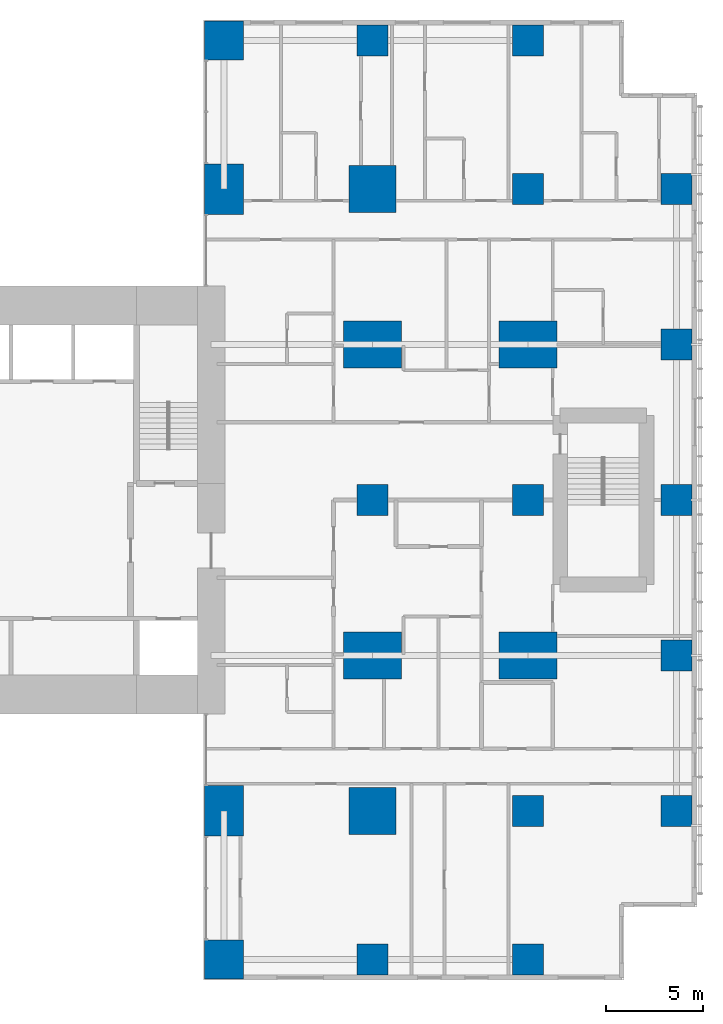
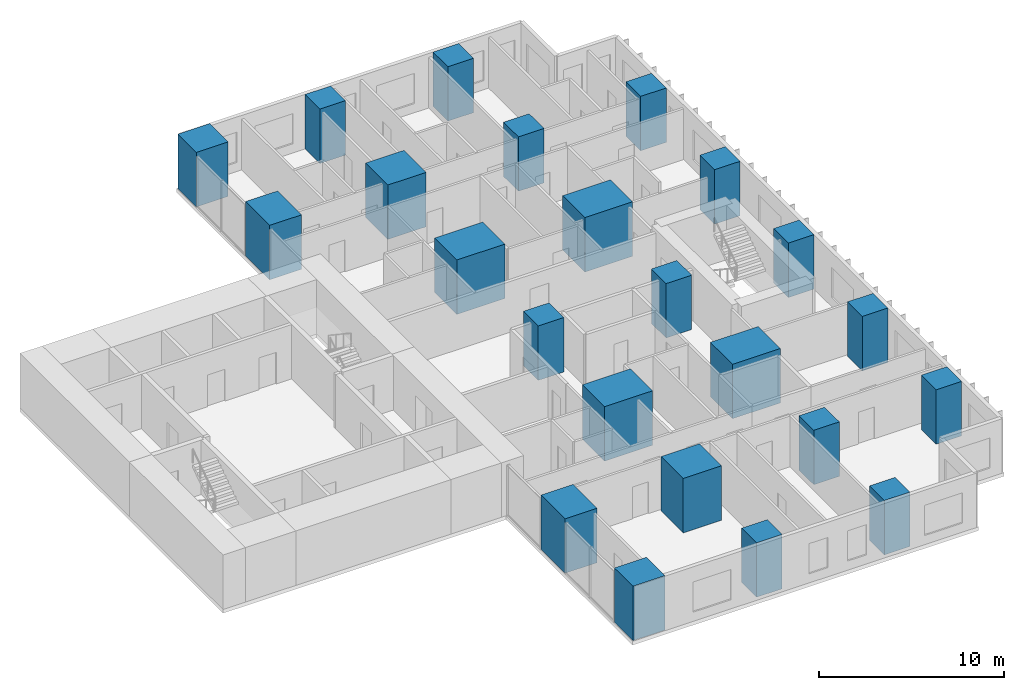
# One storey, part 1 of 12: 23 columns.
"""IFC4 building model written with IfcOpenShell, lengths in metres."""

from ifc_helpers import new_model, si_unit, direction, frame, origin, origin_2d, place, context, subcontext, project, spatial, rectangle, extrude, material, material_profile, profile_set, type_object, element, save


model = new_model("IFC4")

# Units and contexts
model_context = context("Model", 3, precision=1e-05, world=origin(), true_north=direction((0.0, 1.0)))
body_context = subcontext(model_context, "Body", "Model", "MODEL_VIEW")
ifc_project = project(units=[si_unit("LENGTHUNIT", "METRE"), si_unit("AREAUNIT", "SQUARE_METRE"), si_unit("VOLUMEUNIT", "CUBIC_METRE"), si_unit("PLANEANGLEUNIT", "RADIAN"), si_unit("MASSUNIT", "GRAM", prefix="KILO")], contexts=[model_context])

# Site, building, storey
site_placement = place(None, origin())
site = spatial("IfcSite", under=ifc_project, at=site_placement, CompositionType="ELEMENT")
building_placement = place(site_placement, origin())
building = spatial("IfcBuilding", under=site, at=building_placement, Name="Cleftline Residences", CompositionType="ELEMENT")
storey_placement = place(building_placement, frame((0.0, 0.0, 259.199951171875)))
storey = spatial("IfcBuildingStorey", under=building, at=storey_placement, Name="L68", CompositionType="ELEMENT", Elevation=259.199951171875)

# Columns
ifc_material_1 = material(Name="Concrete B70", Category="concrete")
ifc_material_profile_1 = material_profile(ifc_material_1, rectangle(XDim=1.60009765625, YDim=1.60009765625, at=origin_2d()))
ifc_profile_set_1 = profile_set([ifc_material_profile_1], Name="Concrete B70")
column_type_1 = type_object("IfcColumnType", Name="COLUMN RC1600X1600", PredefinedType="COLUMN", material=ifc_profile_set_1)
for number, where, z_axis, x_axis, name in (
    (1, (50.0, 0.35009765625, 0.0), (0.0, 0.0, 1.0), (1.0, 0.0, 0.0), "Column C/9"),
    (2, (50.0, 24.0, 0.0), (0.0, 0.0, 1.0), (1.0, 0.0, 0.0), "Column F/9"),
    (3, (50.0, 47.64990234375, 0.0), (0.0, 0.0, 1.0), (1.0, 0.0, 0.0), "Column J/9"),
    (4, (58.0, 0.35009765625, 0.0), (0.0, 0.0, 1.0), (1.0, 0.0, 0.0), "Column C/10"),
    (5, (58.0, 8.0, 0.0), (0.0, 0.0, 1.0), (1.0, 0.0, 0.0), "Column D/10"),
    (6, (58.0, 24.0, 0.0), (0.0, 0.0, 1.0), (1.0, 0.0, 0.0), "Column F/10"),
    (7, (58.0, 40.0, 0.0), (0.0, 0.0, 1.0), (1.0, 0.0, 0.0), "Column H/10"),
    (8, (58.0, 47.64990234375, 0.0), (0.0, 0.0, 1.0), (1.0, 0.0, 0.0), "Column J/10"),
    (9, (65.64990234375, 8.0, 0.0), (0.0, 0.0, 1.0), (1.0, 0.0, 0.0), "Column D/11"),
    (10, (65.64990234375, 16.0, 0.0), (0.0, 0.0, 1.0), (1.0, 0.0, 0.0), "Column E/11"),
    (11, (65.64990234375, 24.0, 0.0), (0.0, 0.0, 1.0), (1.0, 0.0, 0.0), "Column F/11"),
    (12, (65.64990234375, 32.0, 0.0), (0.0, 0.0, 1.0), (1.0, 0.0, 0.0), "Column G/11"),
    (13, (65.64990234375, 40.0, 0.0), (0.0, 0.0, 1.0), (1.0, 0.0, 0.0), "Column H/11"),
):
    element("IfcColumn", number, at=place(storey_placement, frame(where, z_axis=z_axis, x_axis=x_axis)), inside=storey, type_object=column_type_1, Name=name, PredefinedType="COLUMN", context=body_context, shape_type="SweptSolid", body=[
        extrude(rectangle(XDim=1.60009765625, YDim=1.60009765625, at=origin_2d()), origin(), (0.0, 0.0, 1.0), 3.60009765625),
    ])
ifc_material_2 = material(Name="Concrete B70", Category="concrete")
ifc_material_profile_2 = material_profile(ifc_material_2, rectangle(XDim=2.0, YDim=2.0, at=origin_2d()))
ifc_profile_set_2 = profile_set([ifc_material_profile_2], Name="Concrete B70")
column_type_2 = type_object("IfcColumnType", Name="COLUMN RC2000X2000", PredefinedType="COLUMN", material=ifc_profile_set_2)
for number, where, z_axis, x_axis, name in (
    (14, (42.35009765625, 0.35009765625, 0.0), (0.0, 0.0, 1.0), (1.0, 0.0, 0.0), "Column C/8"),
    (15, (42.35009765625, 47.64990234375, 0.0), (0.0, 0.0, 1.0), (1.0, 0.0, 0.0), "Column J/8"),
):
    element("IfcColumn", number, at=place(storey_placement, frame(where, z_axis=z_axis, x_axis=x_axis)), inside=storey, type_object=column_type_2, Name=name, PredefinedType="COLUMN", context=body_context, shape_type="SweptSolid", body=[
        extrude(rectangle(XDim=2.0, YDim=2.0, at=origin_2d()), origin(), (0.0, 0.0, 1.0), 3.60009765625),
    ])
ifc_material_3 = material(Name="Concrete B70", Category="concrete")
ifc_material_profile_3 = material_profile(ifc_material_3, rectangle(XDim=2.0, YDim=2.60009765625, at=origin_2d()))
ifc_profile_set_3 = profile_set([ifc_material_profile_3], Name="Concrete B70")
column_type_3 = type_object("IfcColumnType", Name="COLUMN RC2000X2600", PredefinedType="COLUMN", material=ifc_profile_set_3)
for number, where, z_axis, x_axis, name in (
    (16, (42.35009765625, 8.0, 0.0), (0.0, 0.0, 1.0), (1.0, 0.0, 0.0), "Column D/8"),
    (17, (42.35009765625, 40.0, 0.0), (0.0, 0.0, 1.0), (1.0, 0.0, 0.0), "Column H/8"),
):
    element("IfcColumn", number, at=place(storey_placement, frame(where, z_axis=z_axis, x_axis=x_axis)), inside=storey, type_object=column_type_3, Name=name, PredefinedType="COLUMN", context=body_context, shape_type="SweptSolid", body=[
        extrude(rectangle(XDim=2.0, YDim=2.60009765625, at=origin_2d()), origin(), (0.0, 0.0, 1.0), 3.60009765625),
    ])
ifc_material_4 = material(Name="Concrete B70", Category="concrete")
ifc_material_profile_4 = material_profile(ifc_material_4, rectangle(XDim=2.39990234375, YDim=2.39990234375, at=origin_2d()))
ifc_profile_set_4 = profile_set([ifc_material_profile_4], Name="Concrete B70")
column_type_4 = type_object("IfcColumnType", Name="COLUMN RC2400X2400", PredefinedType="COLUMN", material=ifc_profile_set_4)
for number, where, z_axis, x_axis, name in (
    (18, (50.0, 8.0, 0.0), (0.0, 0.0, 1.0), (1.0, 0.0, 0.0), "Column D/9"),
    (19, (50.0, 40.0, 0.0), (0.0, 0.0, 1.0), (1.0, 0.0, 0.0), "Column H/9"),
):
    element("IfcColumn", number, at=place(storey_placement, frame(where, z_axis=z_axis, x_axis=x_axis)), inside=storey, type_object=column_type_4, Name=name, PredefinedType="COLUMN", context=body_context, shape_type="SweptSolid", body=[
        extrude(rectangle(XDim=2.39990234375, YDim=2.39990234375, at=origin_2d()), origin(), (0.0, 0.0, 1.0), 3.60009765625),
    ])
ifc_material_5 = material(Name="Concrete B70", Category="concrete")
ifc_material_profile_5 = material_profile(ifc_material_5, rectangle(XDim=3.0, YDim=2.39990234375, at=origin_2d()))
ifc_profile_set_5 = profile_set([ifc_material_profile_5], Name="Concrete B70")
column_type_5 = type_object("IfcColumnType", Name="COLUMN RC3000X2400", PredefinedType="COLUMN", material=ifc_profile_set_5)
for number, where, z_axis, x_axis, name in (
    (20, (50.0, 16.0, 0.0), (0.0, 0.0, 1.0), (1.0, 0.0, 0.0), "Column E/9"),
    (21, (50.0, 32.0, 0.0), (0.0, 0.0, 1.0), (1.0, 0.0, 0.0), "Column G/9"),
    (22, (58.0, 16.0, 0.0), (0.0, 0.0, 1.0), (1.0, 0.0, 0.0), "Column E/10"),
    (23, (58.0, 32.0, 0.0), (0.0, 0.0, 1.0), (1.0, 0.0, 0.0), "Column G/10"),
):
    element("IfcColumn", number, at=place(storey_placement, frame(where, z_axis=z_axis, x_axis=x_axis)), inside=storey, type_object=column_type_5, Name=name, PredefinedType="COLUMN", context=body_context, shape_type="SweptSolid", body=[
        extrude(rectangle(XDim=3.0, YDim=2.39990234375, at=origin_2d()), origin(), (0.0, 0.0, 1.0), 3.60009765625),
    ])

save(model, "model.ifc")
